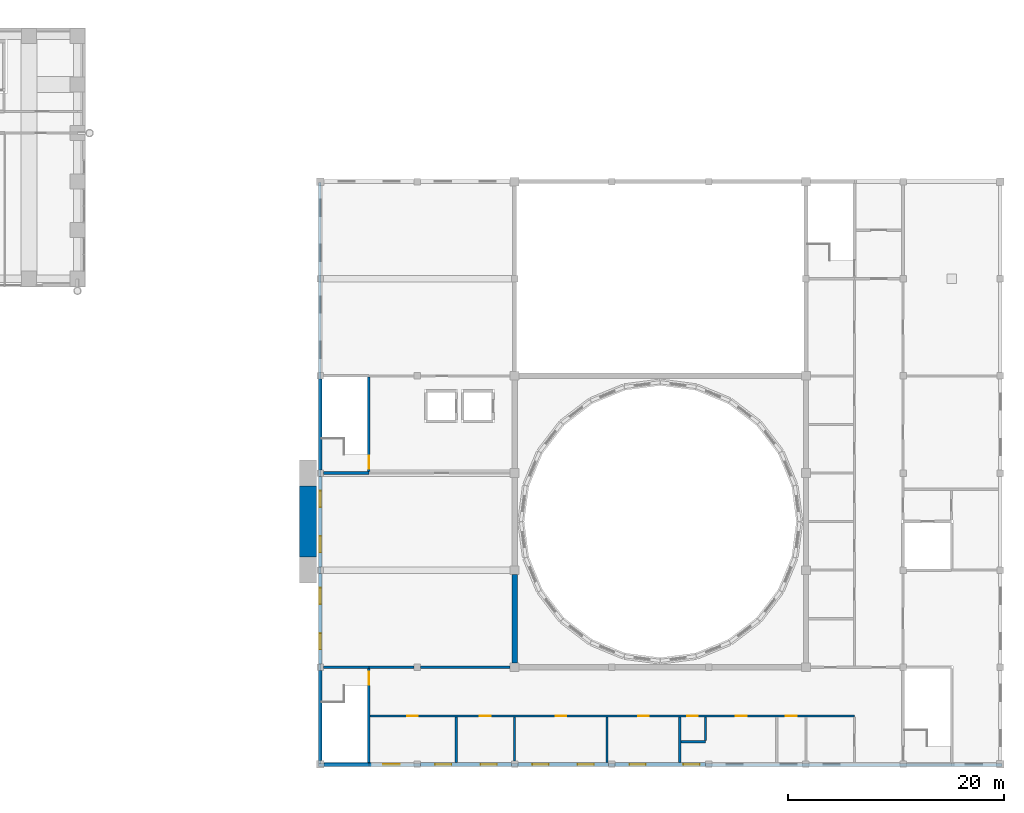
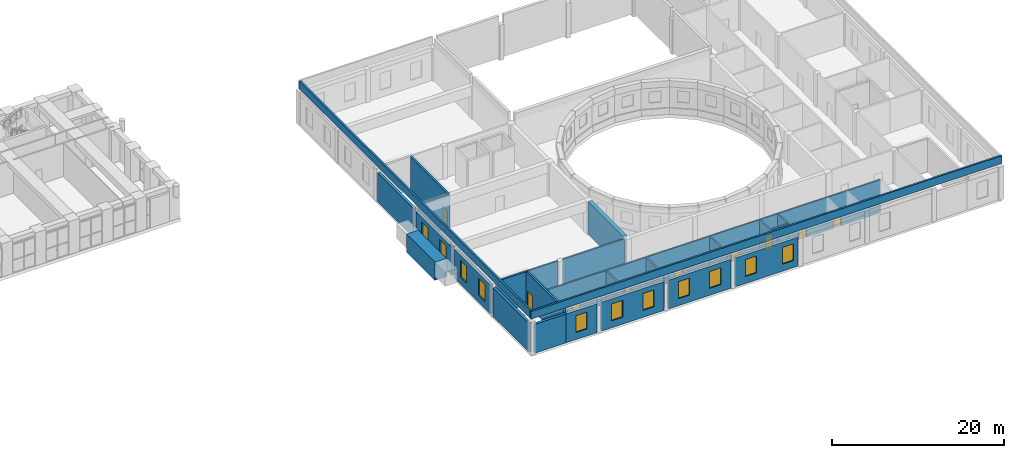
# One storey, part 21 of 35: 26 walls, 11 windows, 9 doors, 20 openings.
"""IFC4 building model written with IfcOpenShell, lengths in metres."""

from ifc_helpers import new_model, si_unit, direction, frame, frame_2d, origin, place, context, subcontext, project, spatial, rectangle, extrude, material, layer, layer_set, type_object, element, fill, save


model = new_model("IFC4")

# Units and contexts
model_context = context("Model", 3, precision=1e-05, world=origin(), true_north=direction((0.0, 1.0)))
body_context = subcontext(model_context, "Body", "Model", "MODEL_VIEW")
ifc_project = project(units=[si_unit("LENGTHUNIT", "METRE"), si_unit("AREAUNIT", "SQUARE_METRE"), si_unit("VOLUMEUNIT", "CUBIC_METRE"), si_unit("PLANEANGLEUNIT", "RADIAN"), si_unit("MASSUNIT", "GRAM", prefix="KILO")], contexts=[model_context])

# Site, building, storey
site_placement = place(None, origin())
site = spatial("IfcSite", under=ifc_project, at=site_placement, CompositionType="ELEMENT")
building_placement = place(site_placement, origin())
building = spatial("IfcBuilding", under=site, at=building_placement, Name="Firuza Court", CompositionType="ELEMENT")
storey_placement = place(building_placement, frame((0.0, 0.0, 24.0)))
storey = spatial("IfcBuildingStorey", under=building, at=storey_placement, Name="L04", CompositionType="ELEMENT", Elevation=24.0)

# Walls
ifc_material_1 = material(Name="Concrete C30/37", Category="concrete")
ifc_layer_1 = layer(ifc_material_1, 1.550048828125)
ifc_material_2 = material(Name="Ceramic tile", Category="ceramic")
ifc_layer_2 = layer(ifc_material_2, 0.050048828125)
ifc_layer_set_1 = layer_set([ifc_layer_1, ifc_layer_2], Name="Concrete C30/37")
wall_type_1 = type_object("IfcWallType", Name="HALL ENTRANCE PORTAL TILE PANEL 1600", PredefinedType="STANDARD", material=ifc_layer_set_1)
wall_1_placement = place(storey_placement, frame((88.85009765625, 10.199951171875, -0.60009765625), z_axis=(0.0, 0.0, 1.0), x_axis=(0.0, 1.0, 0.0)))
element("IfcWall", 1, at=wall_1_placement, inside=storey, type_object=wall_type_1, Name="Portal tile panel", PredefinedType="STANDARD", context=body_context, shape_type="SweptSolid", body=[
    extrude(rectangle(XDim=6.60009765625, YDim=1.60009765625, at=frame_2d((3.300048828125, 0.0))), origin(), (0.0, 0.0, 1.0), 2.60009765625),
])
ifc_material_3 = material(Name="Concrete C30/37", Category="concrete")
ifc_layer_3 = layer(ifc_material_3, 0.25)
ifc_layer_set_2 = layer_set([ifc_layer_3], Name="Concrete C30/37")
wall_type_2 = type_object("IfcWallType", Name="HALL PARAPET 250", PredefinedType="STANDARD", material=ifc_layer_set_2)
wall_2_placement = place(storey_placement, frame((89.824951171875, -9.050048828125, 5.0), z_axis=(0.0, 0.0, 1.0), x_axis=(1.0, 0.0, 0.0)))
element("IfcWall", 2, at=wall_2_placement, inside=storey, type_object=wall_type_2, Name="Roof parapet 1", PredefinedType="STANDARD", context=body_context, shape_type="SweptSolid", body=[
    extrude(rectangle(XDim=63.35009765625, YDim=0.25, at=frame_2d((31.675048828125, 0.0))), origin(), (0.0, 0.0, 1.0), 1.10009765625),
])
wall_3_placement = place(storey_placement, frame((89.949951171875, -8.925048828125, 5.0), z_axis=(0.0, 0.0, 1.0), x_axis=(0.0, 1.0, 0.0)))
element("IfcWall", 3, at=wall_3_placement, inside=storey, type_object=wall_type_2, Name="Roof parapet 4", PredefinedType="STANDARD", context=body_context, shape_type="SweptSolid", body=[
    extrude(rectangle(XDim=53.85009765625, YDim=0.25, at=frame_2d((26.925048828125, 0.0))), origin(), (0.0, 0.0, 1.0), 1.10009765625),
])
ifc_material_4 = material(Name="Blockwork", Category="masonry")
ifc_layer_4 = layer(ifc_material_4, 0.199951171875)
ifc_layer_set_3 = layer_set([ifc_layer_4], Name="Blockwork")
wall_type_3 = type_object("IfcWallType", Name="HALL PARTITION 200", PredefinedType="STANDARD", material=ifc_layer_set_3)
wall_4_placement = place(storey_placement, frame((123.39990234375, -6.89990234375, 0.0), z_axis=(0.0, 0.0, 1.0), x_axis=(1.0, 0.0, 0.0)))
element("IfcWall", 4, at=wall_4_placement, inside=storey, type_object=wall_type_3, Name="Wall L04.10", PredefinedType="STANDARD", context=body_context, shape_type="SweptSolid", body=[
    extrude(rectangle(XDim=2.300048828125, YDim=0.199951171875, at=frame_2d((1.14990234375, 0.0))), origin(), (0.0, 0.0, 1.0), 4.699951171875),
])

# Wall, openings, doors
wall_5_placement = place(storey_placement, frame((94.625, -4.5, 0.0), z_axis=(0.0, 0.0, 1.0), x_axis=(1.0, 0.0, 0.0)))
wall_5 = element("IfcWall", 5, at=wall_5_placement, inside=storey, type_object=wall_type_3, Name="Wall L04.11", PredefinedType="STANDARD", context=body_context, shape_type="SweptSolid", body=[
    extrude(rectangle(XDim=44.875, YDim=0.199951171875, at=frame_2d((22.4375, 0.0))), origin(), (0.0, 0.0, 1.0), 4.699951171875),
])
opening_1_placement = place(wall_5_placement, frame((3.419921875, 0.0, 0.0)))
opening_1 = element("IfcOpeningElement", 6, at=opening_1_placement, cuts=wall_5, Name="Opening H159", PredefinedType="OPENING", context=body_context, shape_type="SweptSolid", body=[
    extrude(rectangle(XDim=1.0, YDim=2.10009765625, at=frame_2d((0.5, 1.050048828125))), frame((0.0, 0.11181640625, 0.0), z_axis=(0.0, -1.0, 0.0), x_axis=(1.0, 0.0, 0.0)), (0.0, 0.0, 1.0), 0.223876953125),
])
opening_2_placement = place(wall_5_placement, frame((10.169921875, 0.0, 0.0)))
opening_2 = element("IfcOpeningElement", 7, at=opening_2_placement, cuts=wall_5, Name="Opening H160", PredefinedType="OPENING", context=body_context, shape_type="SweptSolid", body=[
    extrude(rectangle(XDim=1.0, YDim=2.10009765625, at=frame_2d((0.5, 1.050048828125))), frame((0.0, 0.11181640625, 0.0), z_axis=(0.0, -1.0, 0.0), x_axis=(1.0, 0.0, 0.0)), (0.0, 0.0, 1.0), 0.223876953125),
])
opening_3_placement = place(wall_5_placement, frame((17.169921875, 0.0, 0.0)))
opening_3 = element("IfcOpeningElement", 8, at=opening_3_placement, cuts=wall_5, Name="Opening H163", PredefinedType="OPENING", context=body_context, shape_type="SweptSolid", body=[
    extrude(rectangle(XDim=1.0, YDim=2.10009765625, at=frame_2d((0.5, 1.050048828125))), frame((0.0, 0.11181640625, 0.0), z_axis=(0.0, -1.0, 0.0), x_axis=(1.0, 0.0, 0.0)), (0.0, 0.0, 1.0), 0.223876953125),
])
opening_4_placement = place(wall_5_placement, frame((24.820068359375, 0.0, 0.0)))
opening_4 = element("IfcOpeningElement", 9, at=opening_4_placement, cuts=wall_5, Name="Opening H164", PredefinedType="OPENING", context=body_context, shape_type="SweptSolid", body=[
    extrude(rectangle(XDim=1.0, YDim=2.10009765625, at=frame_2d((0.5, 1.050048828125))), frame((0.0, 0.11181640625, 0.0), z_axis=(0.0, -1.0, 0.0), x_axis=(1.0, 0.0, 0.0)), (0.0, 0.0, 1.0), 0.223876953125),
])
opening_5_placement = place(wall_5_placement, frame((29.3701171875, 0.0, 0.0)))
opening_5 = element("IfcOpeningElement", 10, at=opening_5_placement, cuts=wall_5, Name="Opening H165", PredefinedType="OPENING", context=body_context, shape_type="SweptSolid", body=[
    extrude(rectangle(XDim=1.0, YDim=2.10009765625, at=frame_2d((0.5, 1.050048828125))), frame((0.0, 0.11181640625, 0.0), z_axis=(0.0, -1.0, 0.0), x_axis=(1.0, 0.0, 0.0)), (0.0, 0.0, 1.0), 0.223876953125),
])
opening_6_placement = place(wall_5_placement, frame((33.8701171875, 0.0, 0.0)))
opening_6 = element("IfcOpeningElement", 11, at=opening_6_placement, cuts=wall_5, Name="Opening H166", PredefinedType="OPENING", context=body_context, shape_type="SweptSolid", body=[
    extrude(rectangle(XDim=1.0, YDim=2.10009765625, at=frame_2d((0.5, 1.050048828125))), frame((0.0, 0.11181640625, 0.0), z_axis=(0.0, -1.0, 0.0), x_axis=(1.0, 0.0, 0.0)), (0.0, 0.0, 1.0), 0.223876953125),
])
opening_7_placement = place(wall_5_placement, frame((38.52001953125, 0.0, 0.0)))
opening_7 = element("IfcOpeningElement", 12, at=opening_7_placement, cuts=wall_5, Name="Opening H167", PredefinedType="OPENING", context=body_context, shape_type="SweptSolid", body=[
    extrude(rectangle(XDim=1.0, YDim=2.10009765625, at=frame_2d((0.5, 1.050048828125))), frame((0.0, 0.11181640625, 0.0), z_axis=(0.0, -1.0, 0.0), x_axis=(1.0, 0.0, 0.0)), (0.0, 0.0, 1.0), 0.223876953125),
])
ifc_material_5 = material(Name="Timber", Category="wood")
door_type_1 = type_object("IfcDoorType", Name="HALL DOOR 1000X2100", OperationType="SINGLE_SWING_LEFT", PredefinedType="DOOR", material=ifc_material_5)
door_1_placement = place(opening_1_placement, frame((1.0, 0.0, 0.0), z_axis=(0.0, 0.0, 1.0), x_axis=(-1.0, 0.0, 0.0)))
door_1 = element("IfcDoor", 13, at=door_1_placement, inside=storey, type_object=door_type_1, Name="Door Meeting room", OperationType="SINGLE_SWING_RIGHT", OverallHeight=2.10009765625, OverallWidth=1.0, PredefinedType="DOOR", context=body_context, shape_type="SweptSolid", body=[
    extrude(rectangle(XDim=1.0, YDim=2.10009765625, at=frame_2d((0.5, 1.050048828125))), frame((0.0, 0.02490234375, 0.0), z_axis=(0.0, -1.0, 0.0), x_axis=(1.0, 0.0, 0.0)), (0.0, 0.0, 1.0), 0.050048828125),
])
fill(opening_1, door_1)
door_2_placement = place(opening_2_placement, frame((1.0, 0.0, 0.0), z_axis=(0.0, 0.0, 1.0), x_axis=(-1.0, 0.0, 0.0)))
door_2 = element("IfcDoor", 14, at=door_2_placement, inside=storey, type_object=door_type_1, Name="Door Archive store", OperationType="SINGLE_SWING_RIGHT", OverallHeight=2.10009765625, OverallWidth=1.0, PredefinedType="DOOR", context=body_context, shape_type="SweptSolid", body=[
    extrude(rectangle(XDim=1.0, YDim=2.10009765625, at=frame_2d((0.5, 1.050048828125))), frame((0.0, 0.02490234375, 0.0), z_axis=(0.0, -1.0, 0.0), x_axis=(1.0, 0.0, 0.0)), (0.0, 0.0, 1.0), 0.050048828125),
])
fill(opening_2, door_2)
door_3_placement = place(opening_3_placement, frame((1.0, 0.0, 0.0), z_axis=(0.0, 0.0, 1.0), x_axis=(-1.0, 0.0, 0.0)))
door_3 = element("IfcDoor", 15, at=door_3_placement, inside=storey, type_object=door_type_1, Name="Door Women's WC", OperationType="SINGLE_SWING_RIGHT", OverallHeight=2.10009765625, OverallWidth=1.0, PredefinedType="DOOR", context=body_context, shape_type="SweptSolid", body=[
    extrude(rectangle(XDim=1.0, YDim=2.10009765625, at=frame_2d((0.5, 1.050048828125))), frame((0.0, 0.02490234375, 0.0), z_axis=(0.0, -1.0, 0.0), x_axis=(1.0, 0.0, 0.0)), (0.0, 0.0, 1.0), 0.050048828125),
])
fill(opening_3, door_3)
door_4_placement = place(opening_4_placement, frame((1.0, 0.0, 0.0), z_axis=(0.0, 0.0, 1.0), x_axis=(-1.0, 0.0, 0.0)))
door_4 = element("IfcDoor", 16, at=door_4_placement, inside=storey, type_object=door_type_1, Name="Door Men's WC", OperationType="SINGLE_SWING_RIGHT", OverallHeight=2.10009765625, OverallWidth=1.0, PredefinedType="DOOR", context=body_context, shape_type="SweptSolid", body=[
    extrude(rectangle(XDim=1.0, YDim=2.10009765625, at=frame_2d((0.5, 1.050048828125))), frame((0.0, 0.02490234375, 0.0), z_axis=(0.0, -1.0, 0.0), x_axis=(1.0, 0.0, 0.0)), (0.0, 0.0, 1.0), 0.050048828125),
])
fill(opening_4, door_4)
door_5_placement = place(opening_5_placement, frame((1.0, 0.0, 0.0), z_axis=(0.0, 0.0, 1.0), x_axis=(-1.0, 0.0, 0.0)))
door_5 = element("IfcDoor", 17, at=door_5_placement, inside=storey, type_object=door_type_1, Name="Door Accessible WC", OperationType="SINGLE_SWING_RIGHT", OverallHeight=2.10009765625, OverallWidth=1.0, PredefinedType="DOOR", context=body_context, shape_type="SweptSolid", body=[
    extrude(rectangle(XDim=1.0, YDim=2.10009765625, at=frame_2d((0.5, 1.050048828125))), frame((0.0, 0.02490234375, 0.0), z_axis=(0.0, -1.0, 0.0), x_axis=(1.0, 0.0, 0.0)), (0.0, 0.0, 1.0), 0.050048828125),
])
fill(opening_5, door_5)
door_6_placement = place(opening_6_placement, frame((1.0, 0.0, 0.0), z_axis=(0.0, 0.0, 1.0), x_axis=(-1.0, 0.0, 0.0)))
door_6 = element("IfcDoor", 18, at=door_6_placement, inside=storey, type_object=door_type_1, Name="Door Parents' room", OperationType="SINGLE_SWING_RIGHT", OverallHeight=2.10009765625, OverallWidth=1.0, PredefinedType="DOOR", context=body_context, shape_type="SweptSolid", body=[
    extrude(rectangle(XDim=1.0, YDim=2.10009765625, at=frame_2d((0.5, 1.050048828125))), frame((0.0, 0.02490234375, 0.0), z_axis=(0.0, -1.0, 0.0), x_axis=(1.0, 0.0, 0.0)), (0.0, 0.0, 1.0), 0.050048828125),
])
fill(opening_6, door_6)
door_7_placement = place(opening_7_placement, frame((1.0, 0.0, 0.0), z_axis=(0.0, 0.0, 1.0), x_axis=(-1.0, 0.0, 0.0)))
door_7 = element("IfcDoor", 19, at=door_7_placement, inside=storey, type_object=door_type_1, Name="Door Cleaner's store", OperationType="SINGLE_SWING_RIGHT", OverallHeight=2.10009765625, OverallWidth=1.0, PredefinedType="DOOR", context=body_context, shape_type="SweptSolid", body=[
    extrude(rectangle(XDim=1.0, YDim=2.10009765625, at=frame_2d((0.5, 1.050048828125))), frame((0.0, 0.02490234375, 0.0), z_axis=(0.0, -1.0, 0.0), x_axis=(1.0, 0.0, 0.0)), (0.0, 0.0, 1.0), 0.050048828125),
])
fill(opening_7, door_7)

# Walls
wall_6_placement = place(storey_placement, frame((94.5, 0.0, 0.0), z_axis=(0.0, 0.0, 1.0), x_axis=(1.0, 0.0, 0.0)))
element("IfcWall", 20, at=wall_6_placement, inside=storey, type_object=wall_type_3, Name="Wall L04.13", PredefinedType="STANDARD", context=body_context, shape_type="SweptSolid", body=[
    extrude(rectangle(XDim=4.199951171875, YDim=0.199951171875, at=frame_2d((2.10009765625, 0.0))), origin(), (0.0, 0.0, 1.0), 4.699951171875),
])
wall_7_placement = place(storey_placement, frame((99.300048828125, 0.0, 0.0), z_axis=(0.0, 0.0, 1.0), x_axis=(1.0, 0.0, 0.0)))
element("IfcWall", 21, at=wall_7_placement, inside=storey, type_object=wall_type_3, Name="Wall L04.14", PredefinedType="STANDARD", context=body_context, shape_type="SweptSolid", body=[
    extrude(rectangle(XDim=8.300048828125, YDim=0.199951171875, at=frame_2d((4.14990234375, 0.0))), origin(), (0.0, 0.0, 1.0), 4.699951171875),
])
wall_8_placement = place(storey_placement, frame((102.60009765625, -8.824951171875, 0.0), z_axis=(0.0, 0.0, 1.0), x_axis=(0.0, 1.0, 0.0)))
element("IfcWall", 22, at=wall_8_placement, inside=storey, type_object=wall_type_3, Name="Wall L04.61", PredefinedType="STANDARD", context=body_context, shape_type="SweptSolid", body=[
    extrude(rectangle(XDim=4.224853515625, YDim=0.199951171875, at=frame_2d((2.1123046875, 0.0))), origin(), (0.0, 0.0, 1.0), 4.699951171875),
])
wall_9_placement = place(storey_placement, frame((108.0, -8.699951171875, 0.0), z_axis=(0.0, 0.0, 1.0), x_axis=(0.0, 1.0, 0.0)))
element("IfcWall", 23, at=wall_9_placement, inside=storey, type_object=wall_type_3, Name="Wall L04.65", PredefinedType="STANDARD", context=body_context, shape_type="SweptSolid", body=[
    extrude(rectangle(XDim=4.099853515625, YDim=0.199951171875, at=frame_2d((2.0498046875, 0.0))), origin(), (0.0, 0.0, 1.0), 4.699951171875),
])
for number, where, z_axis, x_axis, name in (
    (24, (116.550048828125, -8.824951171875, 0.0), (0.0, 0.0, 1.0), (0.0, 1.0, 0.0), "Wall L04.71"),
    (25, (123.300048828125, -8.824951171875, 0.0), (0.0, 0.0, 1.0), (0.0, 1.0, 0.0), "Wall L04.72"),
):
    element("IfcWall", number, at=place(storey_placement, frame(where, z_axis=z_axis, x_axis=x_axis)), inside=storey, type_object=wall_type_3, Name=name, PredefinedType="STANDARD", context=body_context, shape_type="SweptSolid", body=[
        extrude(rectangle(XDim=4.224853515625, YDim=0.199951171875, at=frame_2d((2.1123046875, 0.0))), origin(), (0.0, 0.0, 1.0), 4.699951171875),
    ])
wall_10_placement = place(storey_placement, frame((125.699951171875, -6.800048828125, 0.0), z_axis=(0.0, 0.0, 1.0), x_axis=(0.0, 1.0, 0.0)))
element("IfcWall", 26, at=wall_10_placement, inside=storey, type_object=wall_type_3, Name="Wall L04.73", PredefinedType="STANDARD", context=body_context, shape_type="SweptSolid", body=[
    extrude(rectangle(XDim=2.199951171875, YDim=0.199951171875, at=frame_2d((1.10009765625, 0.0))), origin(), (0.0, 0.0, 1.0), 4.699951171875),
])
ifc_material_6 = material(Name="Concrete C40/50", Category="concrete")
ifc_layer_5 = layer(ifc_material_6, 0.25)
ifc_layer_set_4 = layer_set([ifc_layer_5], Name="Concrete C40/50")
wall_type_4 = type_object("IfcWallType", Name="HALL RC WALL 250", PredefinedType="STANDARD", material=ifc_layer_set_4)
for number, where, z_axis, x_axis, name in (
    (27, (90.300048828125, 0.0, 0.0), (0.0, 0.0, 1.0), (1.0, 0.0, 0.0), "Wall L04.12"),
    (28, (90.300048828125, 18.0, 0.0), (0.0, 0.0, 1.0), (1.0, 0.0, 0.0), "Wall L04.27"),
):
    element("IfcWall", number, at=place(storey_placement, frame(where, z_axis=z_axis, x_axis=x_axis)), inside=storey, type_object=wall_type_4, Name=name, PredefinedType="STANDARD", context=body_context, shape_type="SweptSolid", body=[
        extrude(rectangle(XDim=4.199951171875, YDim=0.25, at=frame_2d((2.10009765625, 0.0))), origin(), (0.0, 0.0, 1.0), 4.699951171875),
    ])

# Wall, opening, door
wall_11_placement = place(storey_placement, frame((94.5, -8.824951171875, 0.0), z_axis=(0.0, 0.0, 1.0), x_axis=(0.0, 1.0, 0.0)))
wall_11 = element("IfcWall", 29, at=wall_11_placement, inside=storey, type_object=wall_type_4, Name="Wall L04.58", PredefinedType="STANDARD", context=body_context, shape_type="SweptSolid", body=[
    extrude(rectangle(XDim=8.699951171875, YDim=0.25, at=frame_2d((4.35009765625, 0.0))), origin(), (0.0, 0.0, 1.0), 4.699951171875),
])
opening_8_placement = place(wall_11_placement, frame((7.219970703125, 0.0, 0.0)))
opening_8 = element("IfcOpeningElement", 30, at=opening_8_placement, cuts=wall_11, Name="Opening H156", PredefinedType="OPENING", context=body_context, shape_type="SweptSolid", body=[
    extrude(rectangle(XDim=1.199951171875, YDim=2.10009765625, at=frame_2d((0.60009765625, 1.050048828125))), frame((0.0, 0.136962890625, 0.0), z_axis=(0.0, -1.0, 0.0), x_axis=(1.0, 0.0, 0.0)), (0.0, 0.0, 1.0), 0.27392578125),
])
ifc_material_7 = material(Name="Timber", Category="wood")
door_type_2 = type_object("IfcDoorType", Name="HALL DOOR 1200X2100", OperationType="SINGLE_SWING_LEFT", PredefinedType="DOOR", material=ifc_material_7)
door_8_placement = place(opening_8_placement, origin())
door_8 = element("IfcDoor", 31, at=door_8_placement, inside=storey, type_object=door_type_2, Name="Stair H1 door", OperationType="SINGLE_SWING_RIGHT", OverallHeight=2.10009765625, OverallWidth=1.199951171875, PredefinedType="DOOR", context=body_context, shape_type="SweptSolid", body=[
    extrude(rectangle(XDim=1.199951171875, YDim=2.10009765625, at=frame_2d((0.60009765625, 1.050048828125))), frame((0.0, 0.02490234375, 0.0), z_axis=(0.0, -1.0, 0.0), x_axis=(1.0, 0.0, 0.0)), (0.0, 0.0, 1.0), 0.050048828125),
])
fill(opening_8, door_8)

wall_12_placement = place(storey_placement, frame((94.5, 18.125, 0.0), z_axis=(0.0, 0.0, 1.0), x_axis=(0.0, 1.0, 0.0)))
wall_12 = element("IfcWall", 32, at=wall_12_placement, inside=storey, type_object=wall_type_4, Name="Wall L04.59", PredefinedType="STANDARD", context=body_context, shape_type="SweptSolid", body=[
    extrude(rectangle(XDim=8.75, YDim=0.25, at=frame_2d((4.375, 0.0))), origin(), (0.0, 0.0, 1.0), 4.699951171875),
])
opening_9_placement = place(wall_12_placement, frame((0.27001953125, 0.0, 0.0)))
opening_9 = element("IfcOpeningElement", 33, at=opening_9_placement, cuts=wall_12, Name="Opening H158", PredefinedType="OPENING", context=body_context, shape_type="SweptSolid", body=[
    extrude(rectangle(XDim=1.199951171875, YDim=2.10009765625, at=frame_2d((0.60009765625, 1.050048828125))), frame((0.0, 0.136962890625, 0.0), z_axis=(0.0, -1.0, 0.0), x_axis=(1.0, 0.0, 0.0)), (0.0, 0.0, 1.0), 0.27392578125),
])
door_9_placement = place(opening_9_placement, origin())
door_9 = element("IfcDoor", 34, at=door_9_placement, inside=storey, type_object=door_type_2, Name="Stair H3 door", OperationType="SINGLE_SWING_LEFT", OverallHeight=2.10009765625, OverallWidth=1.199951171875, PredefinedType="DOOR", context=body_context, shape_type="SweptSolid", body=[
    extrude(rectangle(XDim=1.199951171875, YDim=2.10009765625, at=frame_2d((0.60009765625, 1.050048828125))), frame((0.0, 0.02490234375, 0.0), z_axis=(0.0, -1.0, 0.0), x_axis=(1.0, 0.0, 0.0)), (0.0, 0.0, 1.0), 0.050048828125),
])
fill(opening_9, door_9)

# Walls
ifc_layer_6 = layer(ifc_material_6, 0.5)
ifc_layer_set_5 = layer_set([ifc_layer_6], Name="Concrete C40/50")
wall_type_5 = type_object("IfcWallType", Name="HALL RC WALL 500", PredefinedType="STANDARD", material=ifc_layer_set_5)
wall_13_placement = place(storey_placement, frame((108.0, 0.39990234375, 0.0), z_axis=(0.0, 0.0, 1.0), x_axis=(0.0, 1.0, 0.0)))
element("IfcWall", 35, at=wall_13_placement, inside=storey, type_object=wall_type_5, Name="Wall L04.66", PredefinedType="STANDARD", context=body_context, shape_type="SweptSolid", body=[
    extrude(rectangle(XDim=8.2001953125, YDim=0.5, at=frame_2d((4.10009765625, 0.0))), origin(), (0.0, 0.0, 1.0), 4.699951171875),
])
ifc_layer_7 = layer(ifc_material_1, 0.300048828125)
ifc_layer_8 = layer(ifc_material_2, 0.050048828125)
ifc_layer_set_6 = layer_set([ifc_layer_7, ifc_layer_8], Name="Concrete C30/37")
wall_type_6 = type_object("IfcWallType", Name="HALL TILE CLAD WALL 350", PredefinedType="STANDARD", material=ifc_layer_set_6)
wall_14_placement = place(storey_placement, frame((90.35009765625, -9.0, 0.0), z_axis=(0.0, 0.0, 1.0), x_axis=(1.0, 0.0, 0.0)))
element("IfcWall", 36, at=wall_14_placement, inside=storey, type_object=wall_type_6, Name="Wall L04.1", PredefinedType="STANDARD", context=body_context, shape_type="SweptSolid", body=[
    extrude(rectangle(XDim=4.14990234375, YDim=0.35009765625, at=frame_2d((2.074951171875, 0.0))), origin(), (0.0, 0.0, 1.0), 4.10009765625),
])

# Wall, opening, window
wall_15_placement = place(storey_placement, frame((94.5, -9.0, 0.0), z_axis=(0.0, 0.0, 1.0), x_axis=(1.0, 0.0, 0.0)))
wall_15 = element("IfcWall", 37, at=wall_15_placement, inside=storey, type_object=wall_type_6, Name="Wall L04.2", PredefinedType="STANDARD", context=body_context, shape_type="SweptSolid", body=[
    extrude(rectangle(XDim=4.199951171875, YDim=0.35009765625, at=frame_2d((2.10009765625, 0.0))), origin(), (0.0, 0.0, 1.0), 4.10009765625),
])
opening_10_placement = place(wall_15_placement, frame((1.35009765625, 0.0, 1.0)))
opening_10 = element("IfcOpeningElement", 38, at=opening_10_placement, cuts=wall_15, Name="Opening HW-1", PredefinedType="OPENING", context=body_context, shape_type="SweptSolid", body=[
    extrude(rectangle(XDim=1.5, YDim=2.39990234375, at=frame_2d((0.75, 1.199951171875))), frame((0.0, 0.18701171875, 0.0), z_axis=(0.0, -1.0, 0.0), x_axis=(1.0, 0.0, 0.0)), (0.0, 0.0, 1.0), 0.3740234375),
])
ifc_material_8 = material(Name="Aluminium", Category="aluminium")
window_type = type_object("IfcWindowType", Name="HALL WINDOW 1500X2400", PartitioningType="SINGLE_PANEL", PredefinedType="WINDOW", material=ifc_material_8)
window_1_placement = place(opening_10_placement, origin())
window_1 = element("IfcWindow", 39, at=window_1_placement, inside=storey, type_object=window_type, Name="Window L04.107", OverallHeight=2.39990234375, OverallWidth=1.5, PartitioningType="SINGLE_PANEL", PredefinedType="WINDOW", context=body_context, shape_type="SweptSolid", body=[
    extrude(rectangle(XDim=1.5, YDim=2.39990234375, at=frame_2d((0.75, 1.199951171875))), frame((0.0, 0.030029296875, 0.0), z_axis=(0.0, -1.0, 0.0), x_axis=(1.0, 0.0, 0.0)), (0.0, 0.0, 1.0), 0.06005859375),
])
fill(opening_10, window_1)

# Wall, openings, windows
wall_16_placement = place(storey_placement, frame((99.300048828125, -9.0, 0.0), z_axis=(0.0, 0.0, 1.0), x_axis=(1.0, 0.0, 0.0)))
wall_16 = element("IfcWall", 40, at=wall_16_placement, inside=storey, type_object=wall_type_6, Name="Wall L04.3", PredefinedType="STANDARD", context=body_context, shape_type="SweptSolid", body=[
    extrude(rectangle(XDim=8.39990234375, YDim=0.35009765625, at=frame_2d((4.199951171875, 0.0))), origin(), (0.0, 0.0, 1.0), 4.10009765625),
])
opening_11_placement = place(wall_16_placement, frame((1.35009765625, 0.0, 1.0)))
opening_11 = element("IfcOpeningElement", 41, at=opening_11_placement, cuts=wall_16, Name="Opening HW-1", PredefinedType="OPENING", context=body_context, shape_type="SweptSolid", body=[
    extrude(rectangle(XDim=1.5, YDim=2.39990234375, at=frame_2d((0.75, 1.199951171875))), frame((0.0, 0.18701171875, 0.0), z_axis=(0.0, -1.0, 0.0), x_axis=(1.0, 0.0, 0.0)), (0.0, 0.0, 1.0), 0.3740234375),
])
opening_12_placement = place(wall_16_placement, frame((5.550048828125, 0.0, 1.0)))
opening_12 = element("IfcOpeningElement", 42, at=opening_12_placement, cuts=wall_16, Name="Opening HW-1", PredefinedType="OPENING", context=body_context, shape_type="SweptSolid", body=[
    extrude(rectangle(XDim=1.5, YDim=2.39990234375, at=frame_2d((0.75, 1.199951171875))), frame((0.0, 0.18701171875, 0.0), z_axis=(0.0, -1.0, 0.0), x_axis=(1.0, 0.0, 0.0)), (0.0, 0.0, 1.0), 0.3740234375),
])
window_2_placement = place(opening_11_placement, origin())
window_2 = element("IfcWindow", 43, at=window_2_placement, inside=storey, type_object=window_type, Name="Window L04.108", OverallHeight=2.39990234375, OverallWidth=1.5, PartitioningType="SINGLE_PANEL", PredefinedType="WINDOW", context=body_context, shape_type="SweptSolid", body=[
    extrude(rectangle(XDim=1.5, YDim=2.39990234375, at=frame_2d((0.75, 1.199951171875))), frame((0.0, 0.030029296875, 0.0), z_axis=(0.0, -1.0, 0.0), x_axis=(1.0, 0.0, 0.0)), (0.0, 0.0, 1.0), 0.06005859375),
])
fill(opening_11, window_2)
window_3_placement = place(opening_12_placement, origin())
window_3 = element("IfcWindow", 44, at=window_3_placement, inside=storey, type_object=window_type, Name="Window L04.109", OverallHeight=2.39990234375, OverallWidth=1.5, PartitioningType="SINGLE_PANEL", PredefinedType="WINDOW", context=body_context, shape_type="SweptSolid", body=[
    extrude(rectangle(XDim=1.5, YDim=2.39990234375, at=frame_2d((0.75, 1.199951171875))), frame((0.0, 0.030029296875, 0.0), z_axis=(0.0, -1.0, 0.0), x_axis=(1.0, 0.0, 0.0)), (0.0, 0.0, 1.0), 0.06005859375),
])
fill(opening_12, window_3)

wall_17_placement = place(storey_placement, frame((108.300048828125, -9.0, 0.0), z_axis=(0.0, 0.0, 1.0), x_axis=(1.0, 0.0, 0.0)))
wall_17 = element("IfcWall", 45, at=wall_17_placement, inside=storey, type_object=wall_type_6, Name="Wall L04.4", PredefinedType="STANDARD", context=body_context, shape_type="SweptSolid", body=[
    extrude(rectangle(XDim=8.39990234375, YDim=0.35009765625, at=frame_2d((4.199951171875, 0.0))), origin(), (0.0, 0.0, 1.0), 4.10009765625),
])
opening_13_placement = place(wall_17_placement, frame((1.35009765625, 0.0, 1.0)))
opening_13 = element("IfcOpeningElement", 46, at=opening_13_placement, cuts=wall_17, Name="Opening HW-1", PredefinedType="OPENING", context=body_context, shape_type="SweptSolid", body=[
    extrude(rectangle(XDim=1.5, YDim=2.39990234375, at=frame_2d((0.75, 1.199951171875))), frame((0.0, 0.18701171875, 0.0), z_axis=(0.0, -1.0, 0.0), x_axis=(1.0, 0.0, 0.0)), (0.0, 0.0, 1.0), 0.3740234375),
])
opening_14_placement = place(wall_17_placement, frame((5.550048828125, 0.0, 1.0)))
opening_14 = element("IfcOpeningElement", 47, at=opening_14_placement, cuts=wall_17, Name="Opening HW-1", PredefinedType="OPENING", context=body_context, shape_type="SweptSolid", body=[
    extrude(rectangle(XDim=1.5, YDim=2.39990234375, at=frame_2d((0.75, 1.199951171875))), frame((0.0, 0.18701171875, 0.0), z_axis=(0.0, -1.0, 0.0), x_axis=(1.0, 0.0, 0.0)), (0.0, 0.0, 1.0), 0.3740234375),
])
window_4_placement = place(opening_13_placement, origin())
window_4 = element("IfcWindow", 48, at=window_4_placement, inside=storey, type_object=window_type, Name="Window L04.110", OverallHeight=2.39990234375, OverallWidth=1.5, PartitioningType="SINGLE_PANEL", PredefinedType="WINDOW", context=body_context, shape_type="SweptSolid", body=[
    extrude(rectangle(XDim=1.5, YDim=2.39990234375, at=frame_2d((0.75, 1.199951171875))), frame((0.0, 0.030029296875, 0.0), z_axis=(0.0, -1.0, 0.0), x_axis=(1.0, 0.0, 0.0)), (0.0, 0.0, 1.0), 0.06005859375),
])
fill(opening_13, window_4)
window_5_placement = place(opening_14_placement, origin())
window_5 = element("IfcWindow", 49, at=window_5_placement, inside=storey, type_object=window_type, Name="Window L04.111", OverallHeight=2.39990234375, OverallWidth=1.5, PartitioningType="SINGLE_PANEL", PredefinedType="WINDOW", context=body_context, shape_type="SweptSolid", body=[
    extrude(rectangle(XDim=1.5, YDim=2.39990234375, at=frame_2d((0.75, 1.199951171875))), frame((0.0, 0.030029296875, 0.0), z_axis=(0.0, -1.0, 0.0), x_axis=(1.0, 0.0, 0.0)), (0.0, 0.0, 1.0), 0.06005859375),
])
fill(opening_14, window_5)

wall_18_placement = place(storey_placement, frame((117.300048828125, -9.0, 0.0), z_axis=(0.0, 0.0, 1.0), x_axis=(1.0, 0.0, 0.0)))
wall_18 = element("IfcWall", 50, at=wall_18_placement, inside=storey, type_object=wall_type_6, Name="Wall L04.5", PredefinedType="STANDARD", context=body_context, shape_type="SweptSolid", body=[
    extrude(rectangle(XDim=8.39990234375, YDim=0.35009765625, at=frame_2d((4.199951171875, 0.0))), origin(), (0.0, 0.0, 1.0), 4.10009765625),
])
opening_15_placement = place(wall_18_placement, frame((1.35009765625, 0.0, 1.0)))
opening_15 = element("IfcOpeningElement", 51, at=opening_15_placement, cuts=wall_18, Name="Opening HW-1", PredefinedType="OPENING", context=body_context, shape_type="SweptSolid", body=[
    extrude(rectangle(XDim=1.5, YDim=2.39990234375, at=frame_2d((0.75, 1.199951171875))), frame((0.0, 0.18701171875, 0.0), z_axis=(0.0, -1.0, 0.0), x_axis=(1.0, 0.0, 0.0)), (0.0, 0.0, 1.0), 0.3740234375),
])
opening_16_placement = place(wall_18_placement, frame((6.35009765625, 0.0, 1.0)))
opening_16 = element("IfcOpeningElement", 52, at=opening_16_placement, cuts=wall_18, Name="Opening HW-1", PredefinedType="OPENING", context=body_context, shape_type="SweptSolid", body=[
    extrude(rectangle(XDim=1.5, YDim=2.39990234375, at=frame_2d((0.75, 1.199951171875))), frame((0.0, 0.18701171875, 0.0), z_axis=(0.0, -1.0, 0.0), x_axis=(1.0, 0.0, 0.0)), (0.0, 0.0, 1.0), 0.3740234375),
])
window_6_placement = place(opening_15_placement, origin())
window_6 = element("IfcWindow", 53, at=window_6_placement, inside=storey, type_object=window_type, Name="Window L04.112", OverallHeight=2.39990234375, OverallWidth=1.5, PartitioningType="SINGLE_PANEL", PredefinedType="WINDOW", context=body_context, shape_type="SweptSolid", body=[
    extrude(rectangle(XDim=1.5, YDim=2.39990234375, at=frame_2d((0.75, 1.199951171875))), frame((0.0, 0.030029296875, 0.0), z_axis=(0.0, -1.0, 0.0), x_axis=(1.0, 0.0, 0.0)), (0.0, 0.0, 1.0), 0.06005859375),
])
fill(opening_15, window_6)
window_7_placement = place(opening_16_placement, origin())
window_7 = element("IfcWindow", 54, at=window_7_placement, inside=storey, type_object=window_type, Name="Window L04.113", OverallHeight=2.39990234375, OverallWidth=1.5, PartitioningType="SINGLE_PANEL", PredefinedType="WINDOW", context=body_context, shape_type="SweptSolid", body=[
    extrude(rectangle(XDim=1.5, YDim=2.39990234375, at=frame_2d((0.75, 1.199951171875))), frame((0.0, 0.030029296875, 0.0), z_axis=(0.0, -1.0, 0.0), x_axis=(1.0, 0.0, 0.0)), (0.0, 0.0, 1.0), 0.06005859375),
])
fill(opening_16, window_7)

# Wall
wall_19_placement = place(storey_placement, frame((90.0, -8.64990234375, 0.0), z_axis=(0.0, 0.0, 1.0), x_axis=(0.0, 1.0, 0.0)))
element("IfcWall", 55, at=wall_19_placement, inside=storey, type_object=wall_type_6, Name="Wall L04.52", PredefinedType="STANDARD", context=body_context, shape_type="SweptSolid", body=[
    extrude(rectangle(XDim=8.349853515625, YDim=0.35009765625, at=frame_2d((4.1748046875, 0.0))), origin(), (0.0, 0.0, 1.0), 4.10009765625),
])

# Wall, openings, windows
wall_20_placement = place(storey_placement, frame((90.0, 0.300048828125, 0.0), z_axis=(0.0, 0.0, 1.0), x_axis=(0.0, 1.0, 0.0)))
wall_20 = element("IfcWall", 56, at=wall_20_placement, inside=storey, type_object=wall_type_6, Name="Wall L04.53", PredefinedType="STANDARD", context=body_context, shape_type="SweptSolid", body=[
    extrude(rectangle(XDim=8.39990234375, YDim=0.35009765625, at=frame_2d((4.199951171875, 0.0))), origin(), (0.0, 0.0, 1.0), 4.10009765625),
])
opening_17_placement = place(wall_20_placement, frame((1.35009765625, 0.0, 1.0)))
opening_17 = element("IfcOpeningElement", 57, at=opening_17_placement, cuts=wall_20, Name="Opening HW-1", PredefinedType="OPENING", context=body_context, shape_type="SweptSolid", body=[
    extrude(rectangle(XDim=1.5, YDim=2.39990234375, at=frame_2d((0.75, 1.199951171875))), frame((0.0, 0.18701171875, 0.0), z_axis=(0.0, -1.0, 0.0), x_axis=(1.0, 0.0, 0.0)), (0.0, 0.0, 1.0), 0.3740234375),
])
opening_18_placement = place(wall_20_placement, frame((5.550048828125, 0.0, 1.0)))
opening_18 = element("IfcOpeningElement", 58, at=opening_18_placement, cuts=wall_20, Name="Opening HW-1", PredefinedType="OPENING", context=body_context, shape_type="SweptSolid", body=[
    extrude(rectangle(XDim=1.5, YDim=2.39990234375, at=frame_2d((0.75, 1.199951171875))), frame((0.0, 0.18701171875, 0.0), z_axis=(0.0, -1.0, 0.0), x_axis=(1.0, 0.0, 0.0)), (0.0, 0.0, 1.0), 0.3740234375),
])
window_8_placement = place(opening_17_placement, origin())
window_8 = element("IfcWindow", 59, at=window_8_placement, inside=storey, type_object=window_type, Name="Window L04.122", OverallHeight=2.39990234375, OverallWidth=1.5, PartitioningType="SINGLE_PANEL", PredefinedType="WINDOW", context=body_context, shape_type="SweptSolid", body=[
    extrude(rectangle(XDim=1.5, YDim=2.39990234375, at=frame_2d((0.75, 1.199951171875))), frame((0.0, 0.030029296875, 0.0), z_axis=(0.0, -1.0, 0.0), x_axis=(1.0, 0.0, 0.0)), (0.0, 0.0, 1.0), 0.06005859375),
])
fill(opening_17, window_8)
window_9_placement = place(opening_18_placement, origin())
window_9 = element("IfcWindow", 60, at=window_9_placement, inside=storey, type_object=window_type, Name="Window L04.123", OverallHeight=2.39990234375, OverallWidth=1.5, PartitioningType="SINGLE_PANEL", PredefinedType="WINDOW", context=body_context, shape_type="SweptSolid", body=[
    extrude(rectangle(XDim=1.5, YDim=2.39990234375, at=frame_2d((0.75, 1.199951171875))), frame((0.0, 0.030029296875, 0.0), z_axis=(0.0, -1.0, 0.0), x_axis=(1.0, 0.0, 0.0)), (0.0, 0.0, 1.0), 0.06005859375),
])
fill(opening_18, window_9)

wall_21_placement = place(storey_placement, frame((90.0, 9.300048828125, 0.0), z_axis=(0.0, 0.0, 1.0), x_axis=(0.0, 1.0, 0.0)))
wall_21 = element("IfcWall", 61, at=wall_21_placement, inside=storey, type_object=wall_type_6, Name="Wall L04.54", PredefinedType="STANDARD", context=body_context, shape_type="SweptSolid", body=[
    extrude(rectangle(XDim=8.39990234375, YDim=0.35009765625, at=frame_2d((4.199951171875, 0.0))), origin(), (0.0, 0.0, 1.0), 4.10009765625),
])
opening_19_placement = place(wall_21_placement, frame((1.35009765625, 0.0, 1.0)))
opening_19 = element("IfcOpeningElement", 62, at=opening_19_placement, cuts=wall_21, Name="Opening HW-1", PredefinedType="OPENING", context=body_context, shape_type="SweptSolid", body=[
    extrude(rectangle(XDim=1.5, YDim=2.39990234375, at=frame_2d((0.75, 1.199951171875))), frame((0.0, 0.18701171875, 0.0), z_axis=(0.0, -1.0, 0.0), x_axis=(1.0, 0.0, 0.0)), (0.0, 0.0, 1.0), 0.3740234375),
])
opening_20_placement = place(wall_21_placement, frame((5.550048828125, 0.0, 1.0)))
opening_20 = element("IfcOpeningElement", 63, at=opening_20_placement, cuts=wall_21, Name="Opening HW-1", PredefinedType="OPENING", context=body_context, shape_type="SweptSolid", body=[
    extrude(rectangle(XDim=1.5, YDim=2.39990234375, at=frame_2d((0.75, 1.199951171875))), frame((0.0, 0.18701171875, 0.0), z_axis=(0.0, -1.0, 0.0), x_axis=(1.0, 0.0, 0.0)), (0.0, 0.0, 1.0), 0.3740234375),
])
window_10_placement = place(opening_19_placement, origin())
window_10 = element("IfcWindow", 64, at=window_10_placement, inside=storey, type_object=window_type, Name="Window L04.124", OverallHeight=2.39990234375, OverallWidth=1.5, PartitioningType="SINGLE_PANEL", PredefinedType="WINDOW", context=body_context, shape_type="SweptSolid", body=[
    extrude(rectangle(XDim=1.5, YDim=2.39990234375, at=frame_2d((0.75, 1.199951171875))), frame((0.0, 0.030029296875, 0.0), z_axis=(0.0, -1.0, 0.0), x_axis=(1.0, 0.0, 0.0)), (0.0, 0.0, 1.0), 0.06005859375),
])
fill(opening_19, window_10)
window_11_placement = place(opening_20_placement, origin())
window_11 = element("IfcWindow", 65, at=window_11_placement, inside=storey, type_object=window_type, Name="Window L04.125", OverallHeight=2.39990234375, OverallWidth=1.5, PartitioningType="SINGLE_PANEL", PredefinedType="WINDOW", context=body_context, shape_type="SweptSolid", body=[
    extrude(rectangle(XDim=1.5, YDim=2.39990234375, at=frame_2d((0.75, 1.199951171875))), frame((0.0, 0.030029296875, 0.0), z_axis=(0.0, -1.0, 0.0), x_axis=(1.0, 0.0, 0.0)), (0.0, 0.0, 1.0), 0.06005859375),
])
fill(opening_20, window_11)

# Wall
wall_22_placement = place(storey_placement, frame((90.0, 18.300048828125, 0.0), z_axis=(0.0, 0.0, 1.0), x_axis=(0.0, 1.0, 0.0)))
element("IfcWall", 66, at=wall_22_placement, inside=storey, type_object=wall_type_6, Name="Wall L04.55", PredefinedType="STANDARD", context=body_context, shape_type="SweptSolid", body=[
    extrude(rectangle(XDim=8.39990234375, YDim=0.35009765625, at=frame_2d((4.199951171875, 0.0))), origin(), (0.0, 0.0, 1.0), 4.10009765625),
])

save(model, "model.ifc")
